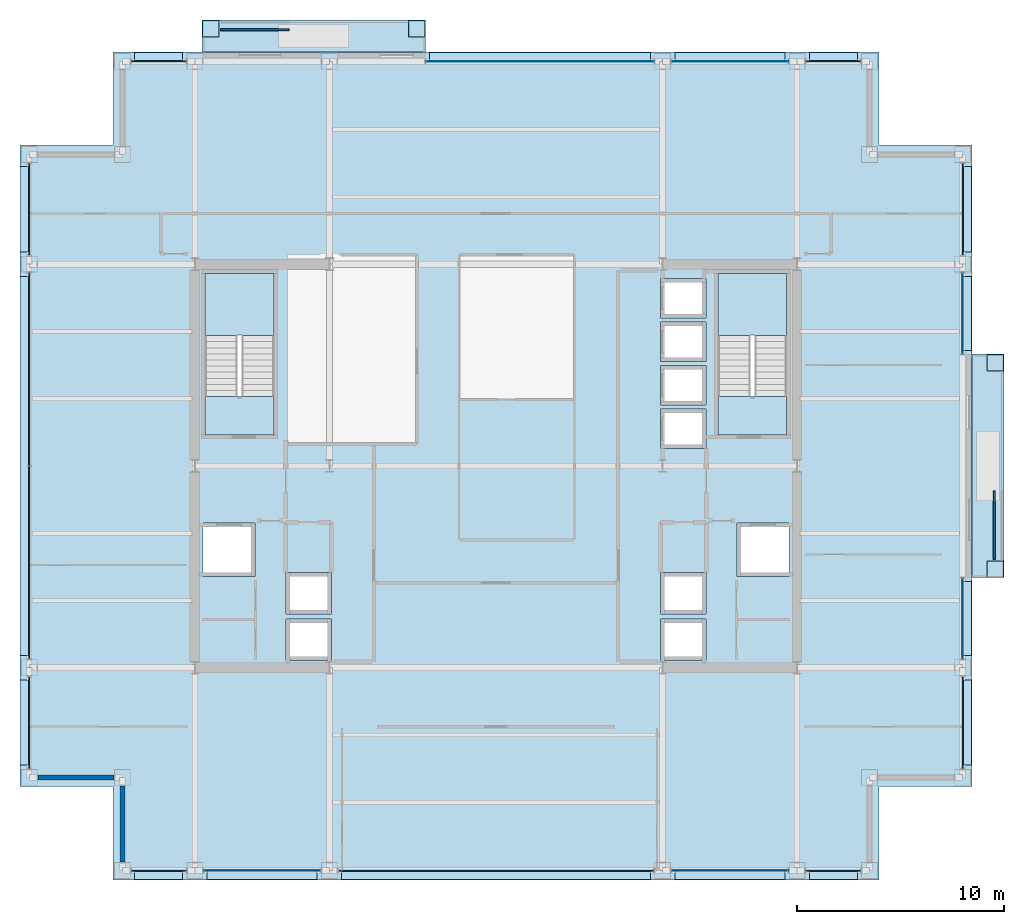
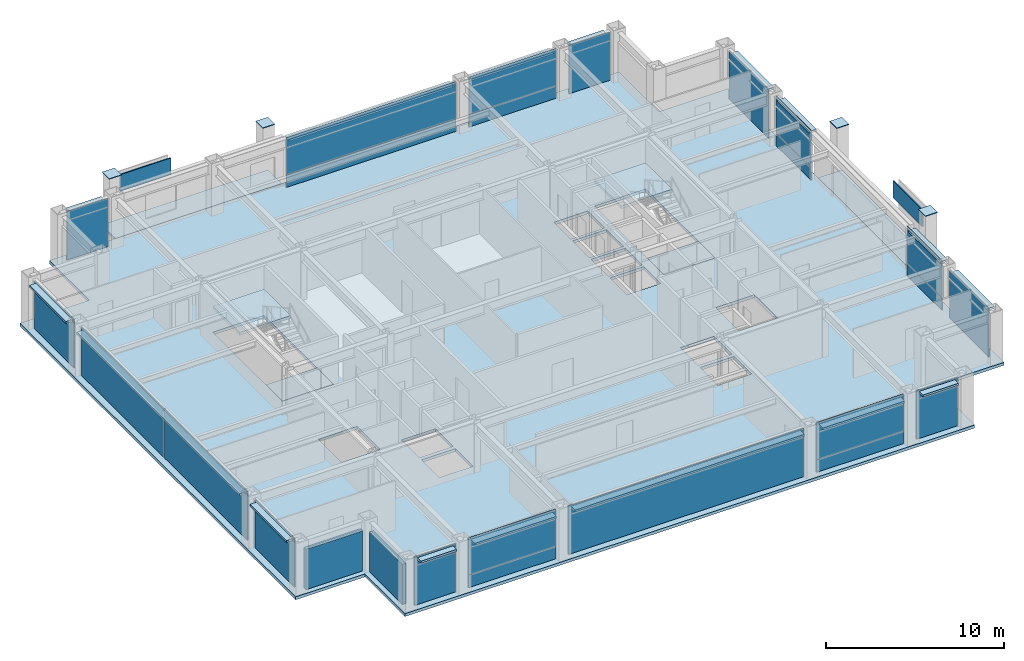
# One storey, part 23 of 29: 45 plates, 7 slabs, 2 walls, 18 elements without a shape of their own.
"""IFC4 building model written with IfcOpenShell, lengths in metres."""

from ifc_helpers import new_model, si_unit, direction, frame, frame_2d, origin, origin_2d, place, context, subcontext, project, spatial, polyline, rectangle, outline, extrude, material, layer, layer_set, type_object, element, aggregate, save


model = new_model("IFC4")

# Units and contexts
model_context = context("Model", 3, precision=1e-05, world=origin(), true_north=direction((0.0, 1.0)))
body_context = subcontext(model_context, "Body", "Model", "MODEL_VIEW")
ifc_project = project(units=[si_unit("LENGTHUNIT", "METRE"), si_unit("AREAUNIT", "SQUARE_METRE"), si_unit("VOLUMEUNIT", "CUBIC_METRE"), si_unit("PLANEANGLEUNIT", "RADIAN"), si_unit("MASSUNIT", "GRAM", prefix="KILO")], contexts=[model_context])

# Site, building, storey
site_placement = place(None, origin())
site = spatial("IfcSite", under=ifc_project, at=site_placement, CompositionType="ELEMENT")
building_placement = place(site_placement, origin())
building = spatial("IfcBuilding", under=site, at=building_placement, Name="Brelmoor Portico Tower", CompositionType="ELEMENT")
storey_placement = place(building_placement, frame((0.0, 0.0, 127.800048828125)))
storey = spatial("IfcBuildingStorey", under=building, at=storey_placement, Name="L33", CompositionType="ELEMENT", Elevation=127.800048828125)

# Plates
ifc_material_1 = material(Name="Steel Q355B", Category="steel")
ifc_layer_1 = layer(ifc_material_1, 0.044921875)
ifc_layer_set_1 = layer_set([ifc_layer_1], Name="Steel Q355B")
plate_type_1 = type_object("IfcPlateType", Name="PT-CAP-650", PredefinedType="SHEET", material=ifc_layer_set_1)
for number, where, z_axis, x_axis, name in (
    (1, (-13.780029296875, 21.1298828125, 3.599853515625), (0.0, 0.0, 1.0), (1.0, 0.0, 0.0), "L33 Proud Picture-Frame Pier PFJ-N1 Welded Head Cap Plate"),
    (2, (-3.820068359375, 21.1298828125, 3.599853515625), (0.0, 0.0, 1.0), (1.0, 0.0, 0.0), "L33 Proud Picture-Frame Pier PFJ-N2 Welded Head Cap Plate"),
    (3, (24.1298828125, -4.97998046875, 3.599853515625), (0.0, 0.0, 1.0), (0.0, 1.0, 0.0), "L33 Proud Picture-Frame Pier PFJ-E1 Welded Head Cap Plate"),
    (4, (24.1298828125, 4.97998046875, 3.599853515625), (0.0, 0.0, 1.0), (0.0, 1.0, 0.0), "L33 Proud Picture-Frame Pier PFJ-E2 Welded Head Cap Plate"),
):
    element("IfcPlate", number, at=place(storey_placement, frame(where, z_axis=z_axis, x_axis=x_axis)), inside=storey, type_object=plate_type_1, Name=name, PredefinedType="SHEET", context=body_context, shape_type="SweptSolid", body=[
        extrude(rectangle(XDim=0.7900390625, YDim=0.7900390625, at=origin_2d()), origin(), (0.0, 0.0, 1.0), 0.0400390625),
    ])

# Curtain wall, plate
ifc_material_2 = material(Name="Anodised Aluminium Alloy 6063-T6", Category="aluminium")
ifc_layer_2 = layer(ifc_material_2, 0.179931640625)
ifc_layer_set_2 = layer_set([ifc_layer_2], Name="Anodised Aluminium Alloy 6063-T6")
curtain_wall_type_1 = type_object("IfcCurtainWallType", Name="CW-TOWER-Z2", PredefinedType="NOTDEFINED", material=ifc_layer_set_2)
curtain_wall_1_placement = place(storey_placement, origin())
curtain_wall_1 = element("IfcCurtainWall", 5, at=curtain_wall_1_placement, inside=storey, type_object=curtain_wall_type_1, Name="L33 Curtain Wall CW-L33-01-2", PredefinedType="NOTDEFINED")
ifc_material_3 = material(Name="Double-Silver Low-E Insulated Glazing", Category="glass")
ifc_layer_3 = layer(ifc_material_3, 0.035888671875)
ifc_layer_set_3 = layer_set([ifc_layer_3], Name="Double-Silver Low-E Insulated Glazing")
plate_type_2 = type_object("IfcPlateType", Name="PT-CW-GLASS", PredefinedType="CURTAIN_PANEL", material=ifc_layer_set_3)
plate_1_placement = place(storey_placement, frame((-11.300048828125, -19.550048828125, 0.85009765625), z_axis=(0.0, 0.0, 1.0), x_axis=(1.0, 0.0, 0.0)))
plate_1 = element("IfcPlate", 6, at=plate_1_placement, type_object=plate_type_2, Name="CW-L33-01-2 Vision Glass Panel 00", PredefinedType="CURTAIN_PANEL", context=body_context, shape_type="SweptSolid", body=[
    extrude(rectangle(XDim=5.64990234375, YDim=0.035888671875, at=origin_2d()), origin(), (0.0, 0.0, 1.0), 2.550048828125),
])

curtain_wall_2_placement = place(storey_placement, origin())
curtain_wall_2 = element("IfcCurtainWall", 7, at=curtain_wall_2_placement, inside=storey, type_object=curtain_wall_type_1, Name="L33 Curtain Wall CW-L33-01-4", PredefinedType="NOTDEFINED")
plate_2_placement = place(storey_placement, frame((11.300048828125, -19.550048828125, 0.85009765625), z_axis=(0.0, 0.0, 1.0), x_axis=(1.0, 0.0, 0.0)))
plate_2 = element("IfcPlate", 8, at=plate_2_placement, type_object=plate_type_2, Name="CW-L33-01-4 Vision Glass Panel 00", PredefinedType="CURTAIN_PANEL", context=body_context, shape_type="SweptSolid", body=[
    extrude(rectangle(XDim=5.64990234375, YDim=0.035888671875, at=origin_2d()), origin(), (0.0, 0.0, 1.0), 2.550048828125),
])

curtain_wall_3_placement = place(storey_placement, origin())
curtain_wall_3 = element("IfcCurtainWall", 9, at=curtain_wall_3_placement, inside=storey, type_object=curtain_wall_type_1, Name="L33 Curtain Wall CW-L33-2R-1", PredefinedType="NOTDEFINED")
plate_3_placement = place(storey_placement, frame((2.1201171875, 19.550048828125, 0.85009765625), z_axis=(0.0, 0.0, 1.0), x_axis=(1.0, 0.0, 0.0)))
plate_3 = element("IfcPlate", 10, at=plate_3_placement, type_object=plate_type_2, Name="CW-L33-2R-1 Vision Glass Panel 00", PredefinedType="CURTAIN_PANEL", context=body_context, shape_type="SweptSolid", body=[
    extrude(rectangle(XDim=11.010009765625, YDim=0.035888671875, at=origin_2d()), origin(), (0.0, 0.0, 1.0), 2.550048828125),
])

curtain_wall_4_placement = place(storey_placement, origin())
curtain_wall_4 = element("IfcCurtainWall", 11, at=curtain_wall_4_placement, inside=storey, type_object=curtain_wall_type_1, Name="L33 Curtain Wall CW-L33-2R-2", PredefinedType="NOTDEFINED")
plate_4_placement = place(storey_placement, frame((11.300048828125, 19.550048828125, 0.85009765625), z_axis=(0.0, 0.0, 1.0), x_axis=(1.0, 0.0, 0.0)))
plate_4 = element("IfcPlate", 12, at=plate_4_placement, type_object=plate_type_2, Name="CW-L33-2R-2 Vision Glass Panel 00", PredefinedType="CURTAIN_PANEL", context=body_context, shape_type="SweptSolid", body=[
    extrude(rectangle(XDim=5.64990234375, YDim=0.035888671875, at=origin_2d()), origin(), (0.0, 0.0, 1.0), 2.550048828125),
])

curtain_wall_5_placement = place(storey_placement, origin())
curtain_wall_5 = element("IfcCurtainWall", 13, at=curtain_wall_5_placement, inside=storey, type_object=curtain_wall_type_1, Name="L33 Curtain Wall CW-L33-4L-2", PredefinedType="NOTDEFINED")
plate_5_placement = place(storey_placement, frame((22.550048828125, -7.3701171875, 0.85009765625), z_axis=(0.0, 0.0, 1.0), x_axis=(0.0, 1.0, 0.0)))
plate_5 = element("IfcPlate", 14, at=plate_5_placement, type_object=plate_type_2, Name="CW-L33-4L-2 Vision Glass Panel 00", PredefinedType="CURTAIN_PANEL", context=body_context, shape_type="SweptSolid", body=[
    extrude(rectangle(XDim=3.909912109375, YDim=0.035888671875, at=origin_2d()), origin(), (0.0, 0.0, 1.0), 2.550048828125),
])

curtain_wall_6_placement = place(storey_placement, origin())
curtain_wall_6 = element("IfcCurtainWall", 15, at=curtain_wall_6_placement, inside=storey, type_object=curtain_wall_type_1, Name="L33 Curtain Wall CW-L33-4R-1", PredefinedType="NOTDEFINED")
plate_6_placement = place(storey_placement, frame((22.550048828125, 7.3701171875, 0.85009765625), z_axis=(0.0, 0.0, 1.0), x_axis=(0.0, 1.0, 0.0)))
plate_6 = element("IfcPlate", 16, at=plate_6_placement, type_object=plate_type_2, Name="CW-L33-4R-1 Vision Glass Panel 00", PredefinedType="CURTAIN_PANEL", context=body_context, shape_type="SweptSolid", body=[
    extrude(rectangle(XDim=3.909912109375, YDim=0.035888671875, at=origin_2d()), origin(), (0.0, 0.0, 1.0), 2.550048828125),
])

ifc_layer_4 = layer(ifc_material_2, 0.179931640625)
ifc_layer_set_4 = layer_set([ifc_layer_4], Name="Anodised Aluminium Alloy 6063-T6")
curtain_wall_type_2 = type_object("IfcCurtainWallType", Name="CW-TOWER-Z2-XB", PredefinedType="NOTDEFINED", material=ifc_layer_set_4)
curtain_wall_7_placement = place(storey_placement, origin())
curtain_wall_7 = element("IfcCurtainWall", 17, at=curtain_wall_7_placement, inside=storey, type_object=curtain_wall_type_2, Name="L33 Curtain Wall CW-L33-01-1", PredefinedType="NOTDEFINED")
ifc_material_4 = material(Name="Pale Champagne Anodised Aluminium Panel", Category="aluminium")
ifc_layer_5 = layer(ifc_material_4, 0.050048828125)
ifc_layer_set_5 = layer_set([ifc_layer_5], Name="Pale Champagne Anodised Aluminium Panel")
plate_type_3 = type_object("IfcPlateType", Name="PT-CW-SPANDREL", PredefinedType="SHEET", material=ifc_layer_set_5)
plate_7_placement = place(storey_placement, frame((-16.300048828125, -19.550048828125, 0.0), z_axis=(0.0, 0.0, 1.0), x_axis=(1.0, 0.0, 0.0)))
plate_7 = element("IfcPlate", 18, at=plate_7_placement, type_object=plate_type_3, Name="CW-L33-01-1 Spandrel Panel 00", PredefinedType="SHEET", context=body_context, shape_type="SweptSolid", body=[
    extrude(rectangle(XDim=2.64990234375, YDim=0.050048828125, at=origin_2d()), origin(), (0.0, 0.0, 1.0), 3.330078125),
])
aggregate(curtain_wall_7, [plate_7])

# Plate
plate_8_placement = place(storey_placement, frame((-11.300048828125, -19.550048828125, 0.0), z_axis=(0.0, 0.0, 1.0), x_axis=(1.0, 0.0, 0.0)))
plate_8 = element("IfcPlate", 19, at=plate_8_placement, type_object=plate_type_3, Name="CW-L33-01-2 Spandrel Panel 00", PredefinedType="SHEET", context=body_context, shape_type="SweptSolid", body=[
    extrude(rectangle(XDim=5.64990234375, YDim=0.050048828125, at=origin_2d()), origin(), (0.0, 0.0, 1.0), 0.85009765625),
])

aggregate(curtain_wall_1, [plate_8, plate_1])

# Curtain wall, plate
curtain_wall_8_placement = place(storey_placement, origin())
curtain_wall_8 = element("IfcCurtainWall", 20, at=curtain_wall_8_placement, inside=storey, type_object=curtain_wall_type_2, Name="L33 Curtain Wall CW-L33-01-3", PredefinedType="NOTDEFINED")
plate_9_placement = place(storey_placement, frame((0.0, -19.550048828125, 0.0), z_axis=(0.0, 0.0, 1.0), x_axis=(1.0, 0.0, 0.0)))
plate_9 = element("IfcPlate", 21, at=plate_9_placement, type_object=plate_type_3, Name="CW-L33-01-3 Spandrel Panel 00", PredefinedType="SHEET", context=body_context, shape_type="SweptSolid", body=[
    extrude(rectangle(XDim=15.25, YDim=0.050048828125, at=origin_2d()), origin(), (0.0, 0.0, 1.0), 3.330078125),
])
aggregate(curtain_wall_8, [plate_9])

# Plate
plate_10_placement = place(storey_placement, frame((11.300048828125, -19.550048828125, 0.0), z_axis=(0.0, 0.0, 1.0), x_axis=(1.0, 0.0, 0.0)))
plate_10 = element("IfcPlate", 22, at=plate_10_placement, type_object=plate_type_3, Name="CW-L33-01-4 Spandrel Panel 00", PredefinedType="SHEET", context=body_context, shape_type="SweptSolid", body=[
    extrude(rectangle(XDim=5.64990234375, YDim=0.050048828125, at=origin_2d()), origin(), (0.0, 0.0, 1.0), 0.85009765625),
])

aggregate(curtain_wall_2, [plate_10, plate_2])

# Curtain wall, plate
curtain_wall_9_placement = place(storey_placement, origin())
curtain_wall_9 = element("IfcCurtainWall", 23, at=curtain_wall_9_placement, inside=storey, type_object=curtain_wall_type_2, Name="L33 Curtain Wall CW-L33-01-5", PredefinedType="NOTDEFINED")
plate_11_placement = place(storey_placement, frame((16.300048828125, -19.550048828125, 0.0), z_axis=(0.0, 0.0, 1.0), x_axis=(1.0, 0.0, 0.0)))
plate_11 = element("IfcPlate", 24, at=plate_11_placement, type_object=plate_type_3, Name="CW-L33-01-5 Spandrel Panel 00", PredefinedType="SHEET", context=body_context, shape_type="SweptSolid", body=[
    extrude(rectangle(XDim=2.64990234375, YDim=0.050048828125, at=origin_2d()), origin(), (0.0, 0.0, 1.0), 3.330078125),
])
aggregate(curtain_wall_9, [plate_11])

curtain_wall_10_placement = place(storey_placement, origin())
curtain_wall_10 = element("IfcCurtainWall", 25, at=curtain_wall_10_placement, inside=storey, type_object=curtain_wall_type_2, Name="L33 Curtain Wall CW-L33-2L", PredefinedType="NOTDEFINED")
plate_12_placement = place(storey_placement, frame((-16.300048828125, 19.550048828125, 0.0), z_axis=(0.0, 0.0, 1.0), x_axis=(1.0, 0.0, 0.0)))
plate_12 = element("IfcPlate", 26, at=plate_12_placement, type_object=plate_type_3, Name="CW-L33-2L Spandrel Panel 00", PredefinedType="SHEET", context=body_context, shape_type="SweptSolid", body=[
    extrude(rectangle(XDim=2.64990234375, YDim=0.050048828125, at=origin_2d()), origin(), (0.0, 0.0, 1.0), 3.330078125),
])
aggregate(curtain_wall_10, [plate_12])

# Plate
plate_13_placement = place(storey_placement, frame((2.1201171875, 19.550048828125, 0.0), z_axis=(0.0, 0.0, 1.0), x_axis=(1.0, 0.0, 0.0)))
plate_13 = element("IfcPlate", 27, at=plate_13_placement, type_object=plate_type_3, Name="CW-L33-2R-1 Spandrel Panel 00", PredefinedType="SHEET", context=body_context, shape_type="SweptSolid", body=[
    extrude(rectangle(XDim=11.010009765625, YDim=0.050048828125, at=origin_2d()), origin(), (0.0, 0.0, 1.0), 0.85009765625),
])

aggregate(curtain_wall_3, [plate_13, plate_3])

plate_14_placement = place(storey_placement, frame((11.300048828125, 19.550048828125, 0.0), z_axis=(0.0, 0.0, 1.0), x_axis=(1.0, 0.0, 0.0)))
plate_14 = element("IfcPlate", 28, at=plate_14_placement, type_object=plate_type_3, Name="CW-L33-2R-2 Spandrel Panel 00", PredefinedType="SHEET", context=body_context, shape_type="SweptSolid", body=[
    extrude(rectangle(XDim=5.64990234375, YDim=0.050048828125, at=origin_2d()), origin(), (0.0, 0.0, 1.0), 0.85009765625),
])

aggregate(curtain_wall_4, [plate_14, plate_4])

# Curtain wall, plate
curtain_wall_11_placement = place(storey_placement, origin())
curtain_wall_11 = element("IfcCurtainWall", 29, at=curtain_wall_11_placement, inside=storey, type_object=curtain_wall_type_2, Name="L33 Curtain Wall CW-L33-2R-3", PredefinedType="NOTDEFINED")
plate_15_placement = place(storey_placement, frame((16.300048828125, 19.550048828125, 0.0), z_axis=(0.0, 0.0, 1.0), x_axis=(1.0, 0.0, 0.0)))
plate_15 = element("IfcPlate", 30, at=plate_15_placement, type_object=plate_type_3, Name="CW-L33-2R-3 Spandrel Panel 00", PredefinedType="SHEET", context=body_context, shape_type="SweptSolid", body=[
    extrude(rectangle(XDim=2.64990234375, YDim=0.050048828125, at=origin_2d()), origin(), (0.0, 0.0, 1.0), 3.330078125),
])
aggregate(curtain_wall_11, [plate_15])

curtain_wall_12_placement = place(storey_placement, origin())
curtain_wall_12 = element("IfcCurtainWall", 31, at=curtain_wall_12_placement, inside=storey, type_object=curtain_wall_type_2, Name="L33 Curtain Wall CW-L33-03-1", PredefinedType="NOTDEFINED")
plate_16_placement = place(storey_placement, frame((-22.550048828125, -12.39990234375, 0.0), z_axis=(0.0, 0.0, 1.0), x_axis=(0.0, 1.0, 0.0)))
plate_16 = element("IfcPlate", 32, at=plate_16_placement, type_object=plate_type_3, Name="CW-L33-03-1 Spandrel Panel 00", PredefinedType="SHEET", context=body_context, shape_type="SweptSolid", body=[
    extrude(rectangle(XDim=4.449951171875, YDim=0.050048828125, at=origin_2d()), origin(), (0.0, 0.0, 1.0), 3.330078125),
])
aggregate(curtain_wall_12, [plate_16])

# Curtain wall, plates
curtain_wall_13_placement = place(storey_placement, origin())
curtain_wall_13 = element("IfcCurtainWall", 33, at=curtain_wall_13_placement, inside=storey, type_object=curtain_wall_type_2, Name="L33 Curtain Wall CW-L33-03-2", PredefinedType="NOTDEFINED")
plate_17_placement = place(storey_placement, frame((-22.550048828125, -4.669921875, 0.0), z_axis=(0.0, 0.0, 1.0), x_axis=(0.0, 1.0, 0.0)))
plate_17 = element("IfcPlate", 34, at=plate_17_placement, type_object=plate_type_3, Name="CW-L33-03-2 Spandrel Panel 00", PredefinedType="SHEET", context=body_context, shape_type="SweptSolid", body=[
    extrude(rectangle(XDim=9.31005859375, YDim=0.050048828125, at=origin_2d()), origin(), (0.0, 0.0, 1.0), 3.330078125),
])
plate_18_placement = place(storey_placement, frame((-22.550048828125, 4.669921875, 0.0), z_axis=(0.0, 0.0, 1.0), x_axis=(0.0, 1.0, 0.0)))
plate_18 = element("IfcPlate", 35, at=plate_18_placement, type_object=plate_type_3, Name="CW-L33-03-2 Spandrel Panel 01", PredefinedType="SHEET", context=body_context, shape_type="SweptSolid", body=[
    extrude(rectangle(XDim=9.31005859375, YDim=0.050048828125, at=origin_2d()), origin(), (0.0, 0.0, 1.0), 3.330078125),
])
aggregate(curtain_wall_13, [plate_17, plate_18])

# Curtain wall, plate
curtain_wall_14_placement = place(storey_placement, origin())
curtain_wall_14 = element("IfcCurtainWall", 36, at=curtain_wall_14_placement, inside=storey, type_object=curtain_wall_type_2, Name="L33 Curtain Wall CW-L33-03-3", PredefinedType="NOTDEFINED")
plate_19_placement = place(storey_placement, frame((-22.550048828125, 12.39990234375, 0.0), z_axis=(0.0, 0.0, 1.0), x_axis=(0.0, 1.0, 0.0)))
plate_19 = element("IfcPlate", 37, at=plate_19_placement, type_object=plate_type_3, Name="CW-L33-03-3 Spandrel Panel 00", PredefinedType="SHEET", context=body_context, shape_type="SweptSolid", body=[
    extrude(rectangle(XDim=4.449951171875, YDim=0.050048828125, at=origin_2d()), origin(), (0.0, 0.0, 1.0), 3.330078125),
])
aggregate(curtain_wall_14, [plate_19])

curtain_wall_15_placement = place(storey_placement, origin())
curtain_wall_15 = element("IfcCurtainWall", 38, at=curtain_wall_15_placement, inside=storey, type_object=curtain_wall_type_2, Name="L33 Curtain Wall CW-L33-4L-1", PredefinedType="NOTDEFINED")
plate_20_placement = place(storey_placement, frame((22.550048828125, -12.39990234375, 0.0), z_axis=(0.0, 0.0, 1.0), x_axis=(0.0, 1.0, 0.0)))
plate_20 = element("IfcPlate", 39, at=plate_20_placement, type_object=plate_type_3, Name="CW-L33-4L-1 Spandrel Panel 00", PredefinedType="SHEET", context=body_context, shape_type="SweptSolid", body=[
    extrude(rectangle(XDim=4.449951171875, YDim=0.050048828125, at=origin_2d()), origin(), (0.0, 0.0, 1.0), 3.330078125),
])
aggregate(curtain_wall_15, [plate_20])

# Plate
plate_21_placement = place(storey_placement, frame((22.550048828125, -7.3701171875, 0.0), z_axis=(0.0, 0.0, 1.0), x_axis=(0.0, 1.0, 0.0)))
plate_21 = element("IfcPlate", 40, at=plate_21_placement, type_object=plate_type_3, Name="CW-L33-4L-2 Spandrel Panel 00", PredefinedType="SHEET", context=body_context, shape_type="SweptSolid", body=[
    extrude(rectangle(XDim=3.909912109375, YDim=0.050048828125, at=origin_2d()), origin(), (0.0, 0.0, 1.0), 0.85009765625),
])

aggregate(curtain_wall_5, [plate_21, plate_5])

plate_22_placement = place(storey_placement, frame((22.550048828125, 7.3701171875, 0.0), z_axis=(0.0, 0.0, 1.0), x_axis=(0.0, 1.0, 0.0)))
plate_22 = element("IfcPlate", 41, at=plate_22_placement, type_object=plate_type_3, Name="CW-L33-4R-1 Spandrel Panel 00", PredefinedType="SHEET", context=body_context, shape_type="SweptSolid", body=[
    extrude(rectangle(XDim=3.909912109375, YDim=0.050048828125, at=origin_2d()), origin(), (0.0, 0.0, 1.0), 0.85009765625),
])

aggregate(curtain_wall_6, [plate_22, plate_6])

# Curtain wall, plate
curtain_wall_16_placement = place(storey_placement, origin())
curtain_wall_16 = element("IfcCurtainWall", 42, at=curtain_wall_16_placement, inside=storey, type_object=curtain_wall_type_2, Name="L33 Curtain Wall CW-L33-4R-2", PredefinedType="NOTDEFINED")
plate_23_placement = place(storey_placement, frame((22.550048828125, 12.39990234375, 0.0), z_axis=(0.0, 0.0, 1.0), x_axis=(0.0, 1.0, 0.0)))
plate_23 = element("IfcPlate", 43, at=plate_23_placement, type_object=plate_type_3, Name="CW-L33-4R-2 Spandrel Panel 00", PredefinedType="SHEET", context=body_context, shape_type="SweptSolid", body=[
    extrude(rectangle(XDim=4.449951171875, YDim=0.050048828125, at=origin_2d()), origin(), (0.0, 0.0, 1.0), 3.330078125),
])
aggregate(curtain_wall_16, [plate_23])

# Plates
ifc_material_5 = material(Name="Powder-Coated Aluminium Shuttered Jalousie Louvre", Category="aluminium")
ifc_layer_6 = layer(ifc_material_5, 0.06005859375)
ifc_layer_set_6 = layer_set([ifc_layer_6], Name="Powder-Coated Aluminium Shuttered Jalousie Louvre")
plate_type_4 = type_object("IfcPlateType", Name="PT-JALOUSIE-SHUTTER", PredefinedType="SHEET", material=ifc_layer_set_6)
for number, where, z_axis, x_axis, name in (
    (44, (-11.64990234375, 21.080078125, 2.27490234375), (0.0, 0.0, 1.0), (1.0, 0.0, 0.0), "L33 Shuttered Veranda Screen N"),
    (45, (24.080078125, -2.85009765625, 2.27490234375), (0.0, 0.0, 1.0), (0.0, 1.0, 0.0), "L33 Shuttered Veranda Screen E"),
):
    element("IfcPlate", number, at=place(storey_placement, frame(where, z_axis=z_axis, x_axis=x_axis)), inside=storey, type_object=plate_type_4, Name=name, PredefinedType="SHEET", context=body_context, shape_type="SweptSolid", body=[
        extrude(rectangle(XDim=3.300048828125, YDim=0.080078125, at=origin_2d()), origin(), (0.0, 0.0, 1.0), 1.14990234375),
    ])
ifc_material_6 = material(Name="Pale Champagne Perforated Aluminium Solar Screen", Category="aluminium")
ifc_layer_7 = layer(ifc_material_6, 0.054931640625)
ifc_layer_set_7 = layer_set([ifc_layer_7], Name="Pale Champagne Perforated Aluminium Solar Screen")
plate_type_5 = type_object("IfcPlateType", Name="PT-SOLAR-LOUVRE", PredefinedType="SHEET", material=ifc_layer_set_7)
plate_24_placement = place(storey_placement, frame((-16.300048828125, -19.760009765625, 3.08984375), z_axis=(0.0, 0.0, 1.0), x_axis=(1.0, 0.0, 0.0)))
element("IfcPlate", 46, at=plate_24_placement, inside=storey, type_object=plate_type_5, Name="CW-L33-01-1 Caribbean Brise-Soleil Solar Screen", PredefinedType="SHEET", context=body_context, shape_type="SweptSolid", body=[
    extrude(rectangle(XDim=2.320068359375, YDim=0.4599609375, at=origin_2d()), origin(), (0.0, 0.0, 1.0), 0.139892578125),
])
plate_25_placement = place(storey_placement, frame((-11.300048828125, -19.760009765625, 3.08984375), z_axis=(0.0, 0.0, 1.0), x_axis=(1.0, 0.0, 0.0)))
element("IfcPlate", 47, at=plate_25_placement, inside=storey, type_object=plate_type_5, Name="CW-L33-01-2 Caribbean Brise-Soleil Solar Screen", PredefinedType="SHEET", context=body_context, shape_type="SweptSolid", body=[
    extrude(rectangle(XDim=5.320068359375, YDim=0.4599609375, at=origin_2d()), origin(), (0.0, 0.0, 1.0), 0.139892578125),
])
plate_26_placement = place(storey_placement, frame((0.0, -19.760009765625, 3.08984375), z_axis=(0.0, 0.0, 1.0), x_axis=(1.0, 0.0, 0.0)))
element("IfcPlate", 48, at=plate_26_placement, inside=storey, type_object=plate_type_5, Name="CW-L33-01-3 Caribbean Brise-Soleil Solar Screen", PredefinedType="SHEET", context=body_context, shape_type="SweptSolid", body=[
    extrude(rectangle(XDim=14.919921875, YDim=0.4599609375, at=origin_2d()), origin(), (0.0, 0.0, 1.0), 0.139892578125),
])
plate_27_placement = place(storey_placement, frame((11.300048828125, -19.760009765625, 3.08984375), z_axis=(0.0, 0.0, 1.0), x_axis=(1.0, 0.0, 0.0)))
element("IfcPlate", 49, at=plate_27_placement, inside=storey, type_object=plate_type_5, Name="CW-L33-01-4 Caribbean Brise-Soleil Solar Screen", PredefinedType="SHEET", context=body_context, shape_type="SweptSolid", body=[
    extrude(rectangle(XDim=5.320068359375, YDim=0.4599609375, at=origin_2d()), origin(), (0.0, 0.0, 1.0), 0.139892578125),
])
for number, where, z_axis, x_axis, name in (
    (50, (16.300048828125, -19.760009765625, 3.08984375), (0.0, 0.0, 1.0), (1.0, 0.0, 0.0), "CW-L33-01-5 Caribbean Brise-Soleil Solar Screen"),
    (51, (-16.300048828125, 19.760009765625, 3.08984375), (0.0, 0.0, 1.0), (1.0, 0.0, 0.0), "CW-L33-2L Caribbean Brise-Soleil Solar Screen"),
):
    element("IfcPlate", number, at=place(storey_placement, frame(where, z_axis=z_axis, x_axis=x_axis)), inside=storey, type_object=plate_type_5, Name=name, PredefinedType="SHEET", context=body_context, shape_type="SweptSolid", body=[
        extrude(rectangle(XDim=2.320068359375, YDim=0.4599609375, at=origin_2d()), origin(), (0.0, 0.0, 1.0), 0.139892578125),
    ])
plate_28_placement = place(storey_placement, frame((2.1201171875, 19.760009765625, 3.08984375), z_axis=(0.0, 0.0, 1.0), x_axis=(1.0, 0.0, 0.0)))
element("IfcPlate", 52, at=plate_28_placement, inside=storey, type_object=plate_type_5, Name="CW-L33-2R-1 Caribbean Brise-Soleil Solar Screen", PredefinedType="SHEET", context=body_context, shape_type="SweptSolid", body=[
    extrude(rectangle(XDim=10.679931640625, YDim=0.4599609375, at=origin_2d()), origin(), (0.0, 0.0, 1.0), 0.139892578125),
])
plate_29_placement = place(storey_placement, frame((11.300048828125, 19.760009765625, 3.08984375), z_axis=(0.0, 0.0, 1.0), x_axis=(1.0, 0.0, 0.0)))
element("IfcPlate", 53, at=plate_29_placement, inside=storey, type_object=plate_type_5, Name="CW-L33-2R-2 Caribbean Brise-Soleil Solar Screen", PredefinedType="SHEET", context=body_context, shape_type="SweptSolid", body=[
    extrude(rectangle(XDim=5.320068359375, YDim=0.4599609375, at=origin_2d()), origin(), (0.0, 0.0, 1.0), 0.139892578125),
])
plate_30_placement = place(storey_placement, frame((16.300048828125, 19.760009765625, 3.08984375), z_axis=(0.0, 0.0, 1.0), x_axis=(1.0, 0.0, 0.0)))
element("IfcPlate", 54, at=plate_30_placement, inside=storey, type_object=plate_type_5, Name="CW-L33-2R-3 Caribbean Brise-Soleil Solar Screen", PredefinedType="SHEET", context=body_context, shape_type="SweptSolid", body=[
    extrude(rectangle(XDim=2.320068359375, YDim=0.4599609375, at=origin_2d()), origin(), (0.0, 0.0, 1.0), 0.139892578125),
])
plate_31_placement = place(storey_placement, frame((-22.760009765625, -12.39990234375, 3.08984375), z_axis=(0.0, 0.0, 1.0), x_axis=(0.0, 1.0, 0.0)))
element("IfcPlate", 55, at=plate_31_placement, inside=storey, type_object=plate_type_5, Name="CW-L33-03-1 Caribbean Brise-Soleil Solar Screen", PredefinedType="SHEET", context=body_context, shape_type="SweptSolid", body=[
    extrude(rectangle(XDim=4.1201171875, YDim=0.4599609375, at=origin_2d()), origin(), (0.0, 0.0, 1.0), 0.139892578125),
])
plate_32_placement = place(storey_placement, frame((-22.760009765625, 0.0, 3.08984375), z_axis=(0.0, 0.0, 1.0), x_axis=(0.0, 1.0, 0.0)))
element("IfcPlate", 56, at=plate_32_placement, inside=storey, type_object=plate_type_5, Name="CW-L33-03-2 Caribbean Brise-Soleil Solar Screen", PredefinedType="SHEET", context=body_context, shape_type="SweptSolid", body=[
    extrude(rectangle(XDim=18.320068359375, YDim=0.4599609375, at=origin_2d()), origin(), (0.0, 0.0, 1.0), 0.139892578125),
])
for number, where, z_axis, x_axis, name in (
    (57, (-22.760009765625, 12.39990234375, 3.08984375), (0.0, 0.0, 1.0), (0.0, 1.0, 0.0), "CW-L33-03-3 Caribbean Brise-Soleil Solar Screen"),
    (58, (22.760009765625, -12.39990234375, 3.08984375), (0.0, 0.0, 1.0), (0.0, 1.0, 0.0), "CW-L33-4L-1 Caribbean Brise-Soleil Solar Screen"),
):
    element("IfcPlate", number, at=place(storey_placement, frame(where, z_axis=z_axis, x_axis=x_axis)), inside=storey, type_object=plate_type_5, Name=name, PredefinedType="SHEET", context=body_context, shape_type="SweptSolid", body=[
        extrude(rectangle(XDim=4.1201171875, YDim=0.4599609375, at=origin_2d()), origin(), (0.0, 0.0, 1.0), 0.139892578125),
    ])
for number, where, z_axis, x_axis, name in (
    (59, (22.760009765625, -7.3701171875, 3.08984375), (0.0, 0.0, 1.0), (0.0, 1.0, 0.0), "CW-L33-4L-2 Caribbean Brise-Soleil Solar Screen"),
    (60, (22.760009765625, 7.3701171875, 3.08984375), (0.0, 0.0, 1.0), (0.0, 1.0, 0.0), "CW-L33-4R-1 Caribbean Brise-Soleil Solar Screen"),
):
    element("IfcPlate", number, at=place(storey_placement, frame(where, z_axis=z_axis, x_axis=x_axis)), inside=storey, type_object=plate_type_5, Name=name, PredefinedType="SHEET", context=body_context, shape_type="SweptSolid", body=[
        extrude(rectangle(XDim=3.580078125, YDim=0.4599609375, at=origin_2d()), origin(), (0.0, 0.0, 1.0), 0.139892578125),
    ])
plate_33_placement = place(storey_placement, frame((22.760009765625, 12.39990234375, 3.08984375), z_axis=(0.0, 0.0, 1.0), x_axis=(0.0, 1.0, 0.0)))
element("IfcPlate", 61, at=plate_33_placement, inside=storey, type_object=plate_type_5, Name="CW-L33-4R-2 Caribbean Brise-Soleil Solar Screen", PredefinedType="SHEET", context=body_context, shape_type="SweptSolid", body=[
    extrude(rectangle(XDim=4.1201171875, YDim=0.4599609375, at=origin_2d()), origin(), (0.0, 0.0, 1.0), 0.139892578125),
])

# Slabs
ifc_material_7 = material(Name="Concrete C40", Category="concrete")
ifc_layer_8 = layer(ifc_material_7, 0.199951171875)
ifc_layer_set_8 = layer_set([ifc_layer_8], Name="Concrete C40")
slab_type_1 = type_object("IfcSlabType", Name="SL-BALCONY-200", PredefinedType="FLOOR", material=ifc_layer_set_8)
slab_1_placement = place(storey_placement, frame((0.0, 0.0, -0.199951171875)))
element("IfcSlab", 62, at=slab_1_placement, inside=storey, type_object=slab_type_1, Name="L33 Loggia Tree Balcony Slab N", PredefinedType="FLOOR", context=body_context, shape_type="SweptSolid", body=[
    extrude(outline(polyline([(-14.199951171875, 20.0), (-3.39990234375, 20.0), (-3.39990234375, 21.550048828125), (-14.199951171875, 21.550048828125), (-14.199951171875, 20.0)])), origin(), (0.0, 0.0, 1.0), 0.199951171875),
])
slab_2_placement = place(storey_placement, frame((0.0, 0.0, -0.199951171875)))
element("IfcSlab", 63, at=slab_2_placement, inside=storey, type_object=slab_type_1, Name="L33 Loggia Tree Balcony Slab E", PredefinedType="FLOOR", context=body_context, shape_type="SweptSolid", body=[
    extrude(outline(polyline([(23.0, -5.39990234375), (24.550048828125, -5.39990234375), (24.550048828125, 5.39990234375), (23.0, 5.39990234375), (23.0, -5.39990234375)])), origin(), (0.0, 0.0, 1.0), 0.199951171875),
])
ifc_layer_9 = layer(ifc_material_7, 0.199951171875)
ifc_layer_set_9 = layer_set([ifc_layer_9], Name="Concrete C40")
slab_type_2 = type_object("IfcSlabType", Name="SL-FLOOR-200", PredefinedType="FLOOR", material=ifc_layer_set_9)
slab_3_placement = place(storey_placement, frame((0.0, 0.0, -0.199951171875)))
element("IfcSlab", 64, at=slab_3_placement, inside=storey, type_object=slab_type_2, Name="L33 Main Structural Floor Slab", PredefinedType="FLOOR", context=body_context, shape_type="SweptSolid", body=[
    extrude(outline(polyline([(-18.5, -20.0), (18.5, -20.0), (18.5, -15.5), (23.0, -15.5), (23.0, 15.5), (18.5, 15.5), (18.5, 20.0), (-18.5, 20.0), (-18.5, 15.5), (-23.0, 15.5), (-23.0, -15.5), (-18.5, -15.5), (-18.5, -20.0)]), holes=[polyline([(-10.72998046875, 1.5), (-10.72998046875, 9.300048828125), (-14.050048828125, 9.300048828125), (-14.050048828125, 1.5), (-10.72998046875, 1.5)]), polyline([(14.050048828125, 1.5), (14.050048828125, 9.300048828125), (10.72998046875, 9.300048828125), (10.72998046875, 1.5), (14.050048828125, 1.5)]), polyline([(7.949951171875, 0.85009765625), (10.14990234375, 0.85009765625), (10.14990234375, 2.75), (7.949951171875, 2.75), (7.949951171875, 0.85009765625)]), polyline([(7.949951171875, 2.949951171875), (10.14990234375, 2.949951171875), (10.14990234375, 4.85009765625), (7.949951171875, 4.85009765625), (7.949951171875, 2.949951171875)]), polyline([(7.949951171875, 5.050048828125), (10.14990234375, 5.050048828125), (10.14990234375, 6.949951171875), (7.949951171875, 6.949951171875), (7.949951171875, 5.050048828125)]), polyline([(7.949951171875, 7.14990234375), (10.14990234375, 7.14990234375), (10.14990234375, 9.050048828125), (7.949951171875, 9.050048828125), (7.949951171875, 7.14990234375)]), polyline([(-10.14990234375, -9.39990234375), (-7.949951171875, -9.39990234375), (-7.949951171875, -7.39990234375), (-10.14990234375, -7.39990234375), (-10.14990234375, -9.39990234375)]), polyline([(-10.14990234375, -7.14990234375), (-7.949951171875, -7.14990234375), (-7.949951171875, -5.14990234375), (-10.14990234375, -5.14990234375), (-10.14990234375, -7.14990234375)]), polyline([(7.949951171875, -9.39990234375), (10.14990234375, -9.39990234375), (10.14990234375, -7.39990234375), (7.949951171875, -7.39990234375), (7.949951171875, -9.39990234375)]), polyline([(7.949951171875, -7.14990234375), (10.14990234375, -7.14990234375), (10.14990234375, -5.14990234375), (7.949951171875, -5.14990234375), (7.949951171875, -7.14990234375)]), polyline([(-14.14990234375, -5.35009765625), (-11.64990234375, -5.35009765625), (-11.64990234375, -2.75), (-14.14990234375, -2.75), (-14.14990234375, -5.35009765625)]), polyline([(11.64990234375, -5.35009765625), (14.14990234375, -5.35009765625), (14.14990234375, -2.75), (11.64990234375, -2.75), (11.64990234375, -5.35009765625)])]), origin(), (0.0, 0.0, 1.0), 0.199951171875),
])

# Stair, slab
stair_type_1 = type_object("IfcStairType", Name="ST-CORE-W", PredefinedType="HALF_TURN_STAIR", material=ifc_material_7)
stair_1_placement = place(storey_placement, origin())
stair_1 = element("IfcStair", 65, at=stair_1_placement, inside=storey, type_object=stair_type_1, Name="L33 Protected Core Exit Stair ST-W", PredefinedType="HALF_TURN_STAIR")
ifc_layer_10 = layer(ifc_material_7, 0.179931640625)
ifc_layer_set_10 = layer_set([ifc_layer_10], Name="Concrete C40")
slab_type_3 = type_object("IfcSlabType", Name="SL-LANDING-180", PredefinedType="LANDING", material=ifc_layer_set_10)
slab_4_placement = place(storey_placement, frame((0.0, 0.0, 1.599853515625)))
slab_4 = element("IfcSlab", 66, at=slab_4_placement, type_object=slab_type_3, Name="ST-W landing 1", PredefinedType="LANDING", context=body_context, shape_type="SweptSolid", body=[
    extrude(outline(polyline([(-10.72998046875, 6.300048828125), (-10.72998046875, 9.300048828125), (-14.050048828125, 9.300048828125), (-14.050048828125, 6.300048828125), (-10.72998046875, 6.300048828125)])), origin(), (0.0, 0.0, 1.0), 0.2001953125),
])
aggregate(stair_1, [slab_4])

stair_type_2 = type_object("IfcStairType", Name="ST-CORE-E", PredefinedType="HALF_TURN_STAIR", material=ifc_material_7)
stair_2_placement = place(storey_placement, origin())
stair_2 = element("IfcStair", 67, at=stair_2_placement, inside=storey, type_object=stair_type_2, Name="L33 Protected Core Exit Stair ST-E", PredefinedType="HALF_TURN_STAIR")
slab_5_placement = place(storey_placement, frame((0.0, 0.0, 1.599853515625)))
slab_5 = element("IfcSlab", 68, at=slab_5_placement, type_object=slab_type_3, Name="ST-E landing 1", PredefinedType="LANDING", context=body_context, shape_type="SweptSolid", body=[
    extrude(outline(polyline([(14.050048828125, 6.300048828125), (14.050048828125, 9.300048828125), (10.72998046875, 9.300048828125), (10.72998046875, 6.300048828125), (14.050048828125, 6.300048828125)])), origin(), (0.0, 0.0, 1.0), 0.2001953125),
])
aggregate(stair_2, [slab_5])

# Slabs
ifc_layer_11 = layer(ifc_material_7, 0.199951171875)
ifc_layer_set_11 = layer_set([ifc_layer_11], Name="Concrete C40")
slab_type_4 = type_object("IfcSlabType", Name="SL-STAIR-FL200", PredefinedType="LANDING", material=ifc_layer_set_11)
slab_6_placement = place(storey_placement, frame((0.0, 0.0, -0.199951171875)))
element("IfcSlab", 69, at=slab_6_placement, inside=storey, type_object=slab_type_4, Name="L33 ST-W Structural Floor Landing Slab", PredefinedType="LANDING", context=body_context, shape_type="SweptSolid", body=[
    extrude(outline(polyline([(-10.72998046875, 1.5), (-10.72998046875, 3.35009765625), (-14.050048828125, 3.35009765625), (-14.050048828125, 1.5), (-10.72998046875, 1.5)])), origin(), (0.0, 0.0, 1.0), 0.199951171875),
])
slab_7_placement = place(storey_placement, frame((0.0, 0.0, -0.199951171875)))
element("IfcSlab", 70, at=slab_7_placement, inside=storey, type_object=slab_type_4, Name="L33 ST-E Structural Floor Landing Slab", PredefinedType="LANDING", context=body_context, shape_type="SweptSolid", body=[
    extrude(outline(polyline([(14.050048828125, 1.5), (14.050048828125, 3.35009765625), (10.72998046875, 3.35009765625), (10.72998046875, 1.5), (14.050048828125, 1.5)])), origin(), (0.0, 0.0, 1.0), 0.199951171875),
])

# Walls
ifc_material_8 = material(Name="Precast Concrete C40 Insulated Facade Wall", Category="concrete")
ifc_layer_12 = layer(ifc_material_8, 0.25)
ifc_layer_set_12 = layer_set([ifc_layer_12], Name="Precast Concrete C40 Insulated Facade Wall")
wall_type = type_object("IfcWallType", Name="WL-EXT-250", PredefinedType="STANDARD", material=ifc_layer_set_12)
for number, where, z_axis, x_axis, name in (
    (71, (-22.139892578125, -15.050048828125, 0.0), (0.0, 0.0, 1.0), (1.0, 0.0, 0.0), "L33 Corner Notch Facade Wall NSWH1"),
    (72, (-18.050048828125, -19.139892578125, 0.0), (0.0, 0.0, 1.0), (0.0, 1.0, 0.0), "L33 Corner Notch Facade Wall NSWV1"),
):
    element("IfcWall", number, at=place(storey_placement, frame(where, z_axis=z_axis, x_axis=x_axis)), inside=storey, type_object=wall_type, Name=name, PredefinedType="STANDARD", context=body_context, shape_type="SweptSolid", body=[
        extrude(rectangle(XDim=3.679931640625, YDim=0.25, at=frame_2d((1.83984375, 0.0))), origin(), (0.0, 0.0, 1.0), 2.75),
    ])

save(model, "model.ifc")
